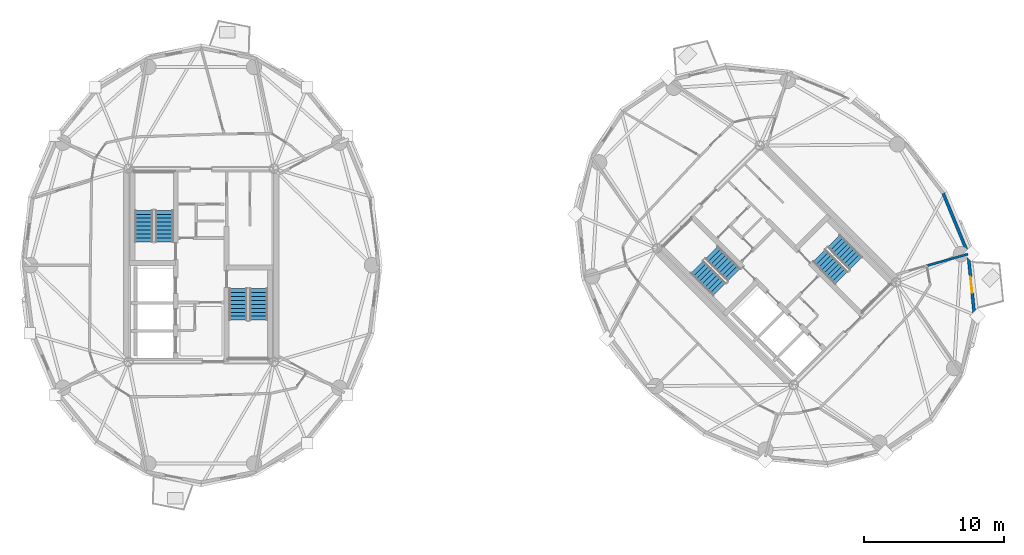
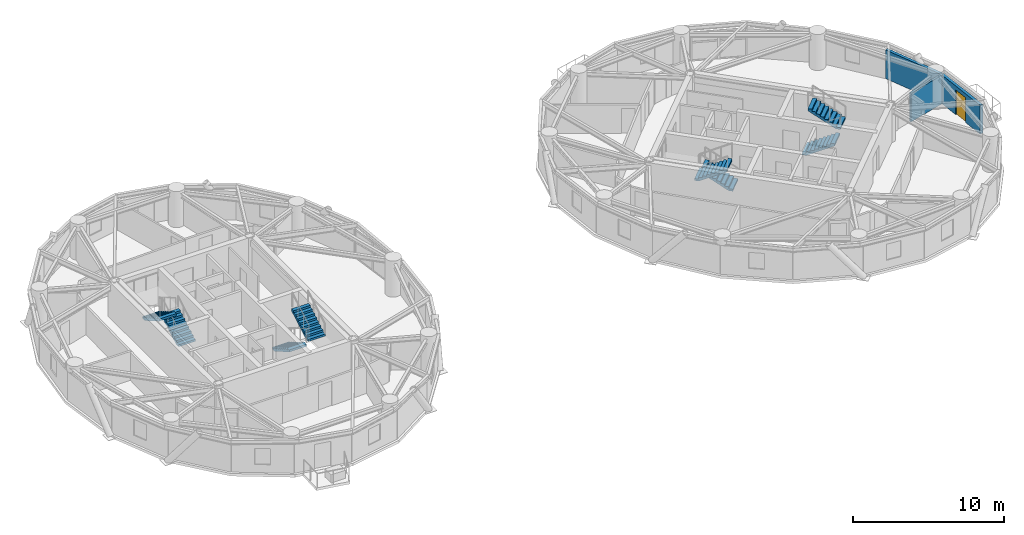
# One storey, part 13 of 16: 8 stair flights, 3 walls, 1 door, 1 opening, 4 elements without a shape of their own.
"""IFC4 building model written with IfcOpenShell, lengths in metres."""

from ifc_helpers import new_model, si_unit, direction, frame, frame_2d, origin, place, context, subcontext, project, spatial, polyline, rectangle, outline, extrude, source, transform, mapped, material, layer, layer_set, type_object, element, fill, aggregate, save


model = new_model("IFC4")

# Units and contexts
model_context = context("Model", 3, precision=1e-05, world=origin(), true_north=direction((0.0, 1.0)))
body_context = subcontext(model_context, "Body", "Model", "MODEL_VIEW")
ifc_project = project(units=[si_unit("LENGTHUNIT", "METRE"), si_unit("AREAUNIT", "SQUARE_METRE"), si_unit("VOLUMEUNIT", "CUBIC_METRE"), si_unit("PLANEANGLEUNIT", "RADIAN"), si_unit("MASSUNIT", "GRAM", prefix="KILO")], contexts=[model_context])

# Site, building, storey
site_placement = place(None, origin())
site = spatial("IfcSite", under=ifc_project, at=site_placement, CompositionType="ELEMENT")
building_placement = place(site_placement, origin())
building = spatial("IfcBuilding", under=site, at=building_placement, Name="Cununo Teusaquillo Station Towers", CompositionType="ELEMENT")
storey_placement = place(building_placement, frame((0.0, 0.0, 208.300048828125)))
storey = spatial("IfcBuildingStorey", under=building, at=storey_placement, Name="L66", CompositionType="ELEMENT", Elevation=208.300048828125)

# Wall, opening, door
ifc_material_1 = material(Name="Precast concrete C40/50", Category="concrete")
ifc_layer_1 = layer(ifc_material_1, 0.219970703125)
ifc_layer_set_1 = layer_set([ifc_layer_1], Name="Precast concrete C40/50")
wall_type_1 = type_object("IfcWallType", Name="WL-EXT-220", PredefinedType="SOLIDWALL", material=ifc_layer_set_1)
wall_1_placement = place(storey_placement, frame((71.15478515625, 25.29541015625, 0.0), z_axis=(0.0, 0.0, 1.0), x_axis=(0.100570534541, -0.994929930991, 0.0)))
wall_1 = element("IfcWall", 1, at=wall_1_placement, inside=storey, type_object=wall_type_1, Name="L66 Tower B Exterior Facade Wall C17", PredefinedType="SOLIDWALL", context=body_context, shape_type="SweptSolid", body=[
    extrude(rectangle(XDim=4.418212890625, YDim=0.219970703125, at=frame_2d((2.208984375, 0.0))), origin(), (0.0, 0.0, 1.0), 2.322021484375),
])
shared_shape_1 = source(origin(), body_context, "Body", "SweptSolid", [
    extrude(rectangle(XDim=1.14990234375, YDim=2.0048828125, at=frame_2d((0.574951171875, 1.00244140625))), frame((0.0, 0.119873046875, 0.0), z_axis=(0.0, -1.0, 0.0), x_axis=(1.0, 0.0, 0.0)), (0.0, 0.0, 1.0), 0.239990234375),
])
opening_placement = place(wall_1_placement, frame((1.634033203125, 0.0, 0.0)))
opening = element("IfcOpeningElement", 2, at=opening_placement, cuts=wall_1, Name="Opening ED-03", PredefinedType="OPENING", context=body_context, shape_type="MappedRepresentation", body=[
    mapped(shared_shape_1, transform((0.0, 0.0, 0.0), x_axis=(1.0, 0.0, 0.0), y_axis=(0.0, 1.0, 0.0), z_axis=(0.0, 0.0, 1.0), scale=1.0)),
])
ifc_material_2 = material(Name="Anodised dark bronze aluminium EN AW-6063-T6", Category="aluminium")
door_type = type_object("IfcDoorType", Name="DR-EXT-BAL", OperationType="NOTDEFINED", PredefinedType="DOOR", material=ifc_material_2)
shared_shape_2 = source(origin(), body_context, "Body", "SweptSolid", [
    extrude(rectangle(XDim=1.14990234375, YDim=2.0048828125, at=frame_2d((0.574951171875, 1.00244140625))), frame((0.0, 0.02490234375, 0.0), z_axis=(0.0, -1.0, 0.0), x_axis=(1.0, 0.0, 0.0)), (0.0, 0.0, 1.0), 0.050048828125),
])
door_placement = place(opening_placement, origin())
door = element("IfcDoor", 3, at=door_placement, inside=storey, type_object=door_type, Name="L66 Tower B Tree Balcony Door C17", OperationType="SINGLE_SWING_LEFT", OverallHeight=2.0048828125, OverallWidth=1.14990234375, PredefinedType="DOOR", context=body_context, shape_type="MappedRepresentation", body=[
    mapped(shared_shape_2, transform((0.0, 0.0, 0.0), x_axis=(1.0, 0.0, 0.0), y_axis=(0.0, 1.0, 0.0), z_axis=(0.0, 0.0, 1.0), scale=1.0)),
])
fill(opening, door)

# Walls
wall_2_placement = place(storey_placement, frame((69.373779296875, 29.61328125, 0.0), z_axis=(0.0, 0.0, 1.0), x_axis=(0.381309704956, -0.924447353237, 0.0)))
element("IfcWall", 4, at=wall_2_placement, inside=storey, type_object=wall_type_1, Name="L66 Tower B Exterior Facade Wall C18", PredefinedType="SOLIDWALL", context=body_context, shape_type="SweptSolid", body=[
    extrude(rectangle(XDim=4.670654296875, YDim=0.219970703125, at=frame_2d((2.33544921875, 0.0))), origin(), (0.0, 0.0, 1.0), 2.322021484375),
])
ifc_material_3 = material(Name="Fire-rated gypsum plasterboard partition assembly", Category="gypsum")
ifc_layer_2 = layer(ifc_material_3, 0.159912109375)
ifc_layer_set_2 = layer_set([ifc_layer_2], Name="Fire-rated gypsum plasterboard partition assembly")
wall_type_2 = type_object("IfcWallType", Name="WL-PART-160", PredefinedType="PARTITIONING", material=ifc_layer_set_2)
wall_3_placement = place(storey_placement, frame((68.210693359375, 24.46923828125, 0.0), z_axis=(0.0, 0.0, 1.0), x_axis=(0.962605107736, 0.270908483735, 0.0)))
element("IfcWall", 5, at=wall_3_placement, inside=storey, type_object=wall_type_2, Name="L66 Tower B Radial Suite Partition R09", PredefinedType="PARTITIONING", context=body_context, shape_type="SweptSolid", body=[
    extrude(rectangle(XDim=3.037841796875, YDim=0.159912109375, at=frame_2d((1.51904296875, 0.0))), origin(), (0.0, 0.0, 1.0), 2.322021484375),
])

# Stair, stair flights
ifc_material_4 = material(Name="Concrete C50/60", Category="concrete")
stair_type = type_object("IfcStairType", Name="ST-TWR-1300", PredefinedType="HALF_TURN_STAIR", material=ifc_material_4)
stair_1_placement = place(storey_placement, origin())
stair_1 = element("IfcStair", 6, at=stair_1_placement, inside=storey, type_object=stair_type, Name="L66 Tower A Protected Core Exit Stair 1", PredefinedType="HALF_TURN_STAIR")
ifc_material_5 = material(Name="Concrete C50/60", Category="concrete")
stair_flight_type = type_object("IfcStairFlightType", Name="SFL-TWR-1300", PredefinedType="STRAIGHT", material=ifc_material_5)
stair_flight_1_placement = place(storey_placement, frame((13.8701171875, 26.169921875, 0.0), z_axis=(0.0, 0.0, 1.0), x_axis=(0.0, 1.0, 0.0)))
stair_flight_1 = element("IfcStairFlight", 7, at=stair_flight_1_placement, type_object=stair_flight_type, Name="ST-T1-1 flight 1", NumberOfRisers=9, NumberOfTreads=8, PredefinedType="STRAIGHT", RiserHeight=0.161666667, TreadLength=0.28, context=body_context, shape_type="SweptSolid", body=[
    extrude(outline(polyline([(0.0, 0.0), (0.0, 0.16162109375), (0.280029296875, 0.16162109375), (0.280029296875, 0.3232421875), (0.56005859375, 0.3232421875), (0.56005859375, 0.485107421875), (0.840087890625, 0.485107421875), (0.840087890625, 0.646728515625), (1.1201171875, 0.646728515625), (1.1201171875, 0.808349609375), (1.39990234375, 0.808349609375), (1.39990234375, 0.969970703125), (1.679931640625, 0.969970703125), (1.679931640625, 1.131591796875), (1.9599609375, 1.131591796875), (1.9599609375, 1.293212890625), (2.239990234375, 1.293212890625), (2.239990234375, 1.455078125), (2.239990234375, 1.1201171875), (0.2998046875, 0.0), (0.0, 0.0)])), frame((0.0, 0.64990234375, 0.0), z_axis=(0.0, -1.0, 0.0), x_axis=(1.0, 0.0, 0.0)), (0.0, 0.0, 1.0), 1.300048828125),
])
stair_flight_2_placement = place(storey_placement, frame((12.409912109375, 28.409912109375, 1.454833984375), z_axis=(0.0, 0.0, 1.0), x_axis=(0.0, -1.0, 0.0)))
stair_flight_2 = element("IfcStairFlight", 8, at=stair_flight_2_placement, type_object=stair_flight_type, Name="ST-T1-1 flight 2", NumberOfRisers=9, NumberOfTreads=8, PredefinedType="STRAIGHT", RiserHeight=0.161666667, TreadLength=0.28, context=body_context, shape_type="SweptSolid", body=[
    extrude(outline(polyline([(0.0, 0.0), (0.0, 0.16162109375), (0.280029296875, 0.16162109375), (0.280029296875, 0.3232421875), (0.56005859375, 0.3232421875), (0.56005859375, 0.485107421875), (0.840087890625, 0.485107421875), (0.840087890625, 0.646728515625), (1.1201171875, 0.646728515625), (1.1201171875, 0.808349609375), (1.39990234375, 0.808349609375), (1.39990234375, 0.969970703125), (1.679931640625, 0.969970703125), (1.679931640625, 1.131591796875), (1.9599609375, 1.131591796875), (1.9599609375, 1.293212890625), (2.239990234375, 1.293212890625), (2.239990234375, 1.455078125), (2.239990234375, 1.1201171875), (0.2998046875, 0.0), (0.0, 0.0)])), frame((0.0, 0.64990234375, 0.0), z_axis=(0.0, -1.0, 0.0), x_axis=(1.0, 0.0, 0.0)), (0.0, 0.0, 1.0), 1.300048828125),
])
aggregate(stair_1, [stair_flight_1, stair_flight_2])

stair_2_placement = place(storey_placement, origin())
stair_2 = element("IfcStair", 9, at=stair_2_placement, inside=storey, type_object=stair_type, Name="L66 Tower A Protected Core Exit Stair 2", PredefinedType="HALF_TURN_STAIR")
stair_flight_3_placement = place(storey_placement, frame((19.1298828125, 22.830078125, 0.0), z_axis=(0.0, 0.0, 1.0), x_axis=(0.0, -1.0, 0.0)))
stair_flight_3 = element("IfcStairFlight", 10, at=stair_flight_3_placement, type_object=stair_flight_type, Name="ST-T1-2 flight 1", NumberOfRisers=9, NumberOfTreads=8, PredefinedType="STRAIGHT", RiserHeight=0.161666667, TreadLength=0.28, context=body_context, shape_type="SweptSolid", body=[
    extrude(outline(polyline([(0.0, 0.0), (0.0, 0.16162109375), (0.280029296875, 0.16162109375), (0.280029296875, 0.3232421875), (0.56005859375, 0.3232421875), (0.56005859375, 0.485107421875), (0.840087890625, 0.485107421875), (0.840087890625, 0.646728515625), (1.1201171875, 0.646728515625), (1.1201171875, 0.808349609375), (1.39990234375, 0.808349609375), (1.39990234375, 0.969970703125), (1.679931640625, 0.969970703125), (1.679931640625, 1.131591796875), (1.9599609375, 1.131591796875), (1.9599609375, 1.293212890625), (2.239990234375, 1.293212890625), (2.239990234375, 1.455078125), (2.239990234375, 1.1201171875), (0.2998046875, 0.0), (0.0, 0.0)])), frame((0.0, 0.64990234375, 0.0), z_axis=(0.0, -1.0, 0.0), x_axis=(1.0, 0.0, 0.0)), (0.0, 0.0, 1.0), 1.300048828125),
])
stair_flight_4_placement = place(storey_placement, frame((20.590087890625, 20.590087890625, 1.454833984375), z_axis=(0.0, 0.0, 1.0), x_axis=(0.0, 1.0, 0.0)))
stair_flight_4 = element("IfcStairFlight", 11, at=stair_flight_4_placement, type_object=stair_flight_type, Name="ST-T1-2 flight 2", NumberOfRisers=9, NumberOfTreads=8, PredefinedType="STRAIGHT", RiserHeight=0.161666667, TreadLength=0.28, context=body_context, shape_type="SweptSolid", body=[
    extrude(outline(polyline([(0.0, 0.0), (0.0, 0.16162109375), (0.280029296875, 0.16162109375), (0.280029296875, 0.3232421875), (0.56005859375, 0.3232421875), (0.56005859375, 0.485107421875), (0.840087890625, 0.485107421875), (0.840087890625, 0.646728515625), (1.1201171875, 0.646728515625), (1.1201171875, 0.808349609375), (1.39990234375, 0.808349609375), (1.39990234375, 0.969970703125), (1.679931640625, 0.969970703125), (1.679931640625, 1.131591796875), (1.9599609375, 1.131591796875), (1.9599609375, 1.293212890625), (2.239990234375, 1.293212890625), (2.239990234375, 1.455078125), (2.239990234375, 1.1201171875), (0.2998046875, 0.0), (0.0, 0.0)])), frame((0.0, 0.64990234375, 0.0), z_axis=(0.0, -1.0, 0.0), x_axis=(1.0, 0.0, 0.0)), (0.0, 0.0, 1.0), 1.300048828125),
])
aggregate(stair_2, [stair_flight_3, stair_flight_4])

stair_3_placement = place(storey_placement, origin())
stair_3 = element("IfcStair", 12, at=stair_3_placement, inside=storey, type_object=stair_type, Name="L66 Tower B Protected Core Exit Stair 1", PredefinedType="HALF_TURN_STAIR")
stair_flight_5_placement = place(storey_placement, frame((54.45947265625, 23.8212890625, 0.0), z_axis=(0.0, 0.0, 1.0), x_axis=(-0.707106781187, 0.707106781187, 0.0)))
stair_flight_5 = element("IfcStairFlight", 13, at=stair_flight_5_placement, type_object=stair_flight_type, Name="ST-T2-1 flight 1", NumberOfRisers=9, NumberOfTreads=8, PredefinedType="STRAIGHT", RiserHeight=0.161666667, TreadLength=0.28, context=body_context, shape_type="SweptSolid", body=[
    extrude(outline(polyline([(0.0, 0.0), (0.0, 0.16162109375), (0.280029296875, 0.16162109375), (0.280029296875, 0.3232421875), (0.56005859375, 0.3232421875), (0.56005859375, 0.485107421875), (0.840087890625, 0.485107421875), (0.840087890625, 0.646728515625), (1.1201171875, 0.646728515625), (1.1201171875, 0.808349609375), (1.39990234375, 0.808349609375), (1.39990234375, 0.969970703125), (1.679931640625, 0.969970703125), (1.679931640625, 1.131591796875), (1.9599609375, 1.131591796875), (1.9599609375, 1.293212890625), (2.239990234375, 1.293212890625), (2.239990234375, 1.455078125), (2.239990234375, 1.1201171875), (0.2998046875, 0.0), (0.0, 0.0)])), frame((0.0, 0.64990234375, 0.0), z_axis=(0.0, -1.0, 0.0), x_axis=(1.0, 0.0, 0.0)), (0.0, 0.0, 1.0), 1.300048828125),
])
stair_flight_6_placement = place(storey_placement, frame((51.84326171875, 24.372802734375, 1.454833984375), z_axis=(0.0, 0.0, 1.0), x_axis=(0.707106781187, -0.707106781187, 0.0)))
stair_flight_6 = element("IfcStairFlight", 14, at=stair_flight_6_placement, type_object=stair_flight_type, Name="ST-T2-1 flight 2", NumberOfRisers=9, NumberOfTreads=8, PredefinedType="STRAIGHT", RiserHeight=0.161666667, TreadLength=0.28, context=body_context, shape_type="SweptSolid", body=[
    extrude(outline(polyline([(0.0, 0.0), (0.0, 0.16162109375), (0.280029296875, 0.16162109375), (0.280029296875, 0.3232421875), (0.56005859375, 0.3232421875), (0.56005859375, 0.485107421875), (0.840087890625, 0.485107421875), (0.840087890625, 0.646728515625), (1.1201171875, 0.646728515625), (1.1201171875, 0.808349609375), (1.39990234375, 0.808349609375), (1.39990234375, 0.969970703125), (1.679931640625, 0.969970703125), (1.679931640625, 1.131591796875), (1.9599609375, 1.131591796875), (1.9599609375, 1.293212890625), (2.239990234375, 1.293212890625), (2.239990234375, 1.455078125), (2.239990234375, 1.1201171875), (0.2998046875, 0.0), (0.0, 0.0)])), frame((0.0, 0.64990234375, 0.0), z_axis=(0.0, -1.0, 0.0), x_axis=(1.0, 0.0, 0.0)), (0.0, 0.0, 1.0), 1.300048828125),
])
aggregate(stair_3, [stair_flight_5, stair_flight_6])

stair_4_placement = place(storey_placement, origin())
stair_4 = element("IfcStair", 15, at=stair_4_placement, inside=storey, type_object=stair_type, Name="L66 Tower B Protected Core Exit Stair 2", PredefinedType="HALF_TURN_STAIR")
stair_flight_7_placement = place(storey_placement, frame((60.54052734375, 25.1787109375, 0.0), z_axis=(0.0, 0.0, 1.0), x_axis=(0.707106781187, -0.707106781187, 0.0)))
stair_flight_7 = element("IfcStairFlight", 16, at=stair_flight_7_placement, type_object=stair_flight_type, Name="ST-T2-2 flight 1", NumberOfRisers=9, NumberOfTreads=8, PredefinedType="STRAIGHT", RiserHeight=0.161666667, TreadLength=0.28, context=body_context, shape_type="SweptSolid", body=[
    extrude(outline(polyline([(0.0, 0.0), (0.0, 0.16162109375), (0.280029296875, 0.16162109375), (0.280029296875, 0.3232421875), (0.56005859375, 0.3232421875), (0.56005859375, 0.485107421875), (0.840087890625, 0.485107421875), (0.840087890625, 0.646728515625), (1.1201171875, 0.646728515625), (1.1201171875, 0.808349609375), (1.39990234375, 0.808349609375), (1.39990234375, 0.969970703125), (1.679931640625, 0.969970703125), (1.679931640625, 1.131591796875), (1.9599609375, 1.131591796875), (1.9599609375, 1.293212890625), (2.239990234375, 1.293212890625), (2.239990234375, 1.455078125), (2.239990234375, 1.1201171875), (0.2998046875, 0.0), (0.0, 0.0)])), frame((0.0, 0.64990234375, 0.0), z_axis=(0.0, -1.0, 0.0), x_axis=(1.0, 0.0, 0.0)), (0.0, 0.0, 1.0), 1.300048828125),
])
stair_flight_8_placement = place(storey_placement, frame((63.15673828125, 24.627197265625, 1.454833984375), z_axis=(0.0, 0.0, 1.0), x_axis=(-0.707106781187, 0.707106781187, 0.0)))
stair_flight_8 = element("IfcStairFlight", 17, at=stair_flight_8_placement, type_object=stair_flight_type, Name="ST-T2-2 flight 2", NumberOfRisers=9, NumberOfTreads=8, PredefinedType="STRAIGHT", RiserHeight=0.161666667, TreadLength=0.28, context=body_context, shape_type="SweptSolid", body=[
    extrude(outline(polyline([(0.0, 0.0), (0.0, 0.16162109375), (0.280029296875, 0.16162109375), (0.280029296875, 0.3232421875), (0.56005859375, 0.3232421875), (0.56005859375, 0.485107421875), (0.840087890625, 0.485107421875), (0.840087890625, 0.646728515625), (1.1201171875, 0.646728515625), (1.1201171875, 0.808349609375), (1.39990234375, 0.808349609375), (1.39990234375, 0.969970703125), (1.679931640625, 0.969970703125), (1.679931640625, 1.131591796875), (1.9599609375, 1.131591796875), (1.9599609375, 1.293212890625), (2.239990234375, 1.293212890625), (2.239990234375, 1.455078125), (2.239990234375, 1.1201171875), (0.2998046875, 0.0), (0.0, 0.0)])), frame((0.0, 0.64990234375, 0.0), z_axis=(0.0, -1.0, 0.0), x_axis=(1.0, 0.0, 0.0)), (0.0, 0.0, 1.0), 1.300048828125),
])
aggregate(stair_4, [stair_flight_7, stair_flight_8])

save(model, "model.ifc")
